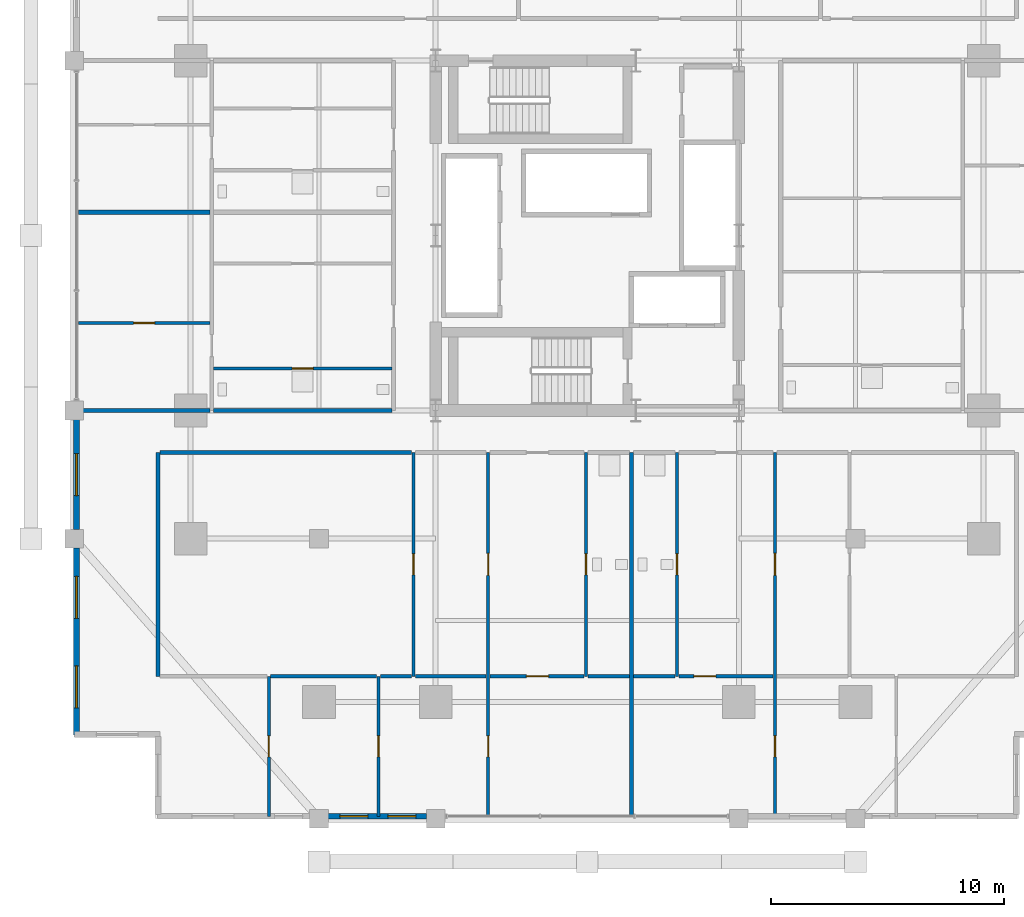
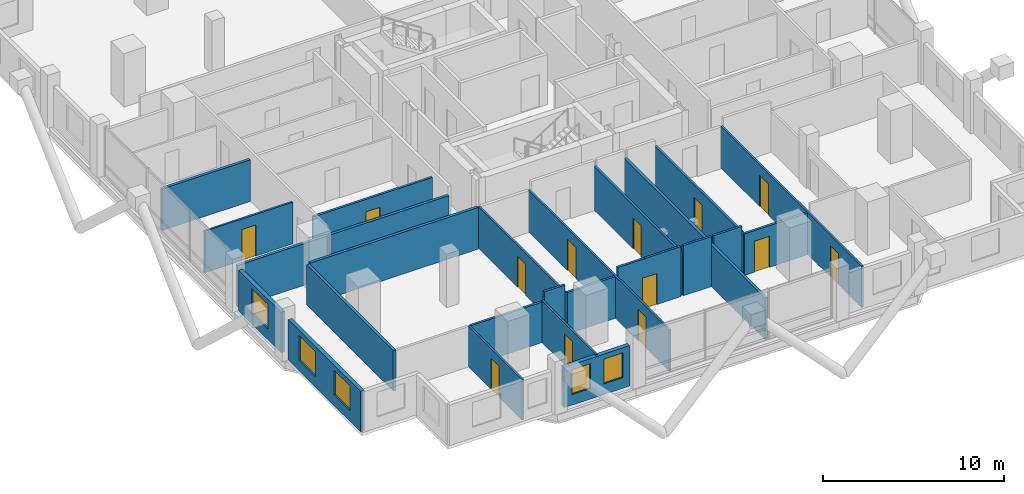
# One storey, part 17 of 23: 25 walls, 13 doors, 5 windows, 18 openings.
"""IFC4 building model written with IfcOpenShell, lengths in metres."""

from ifc_helpers import new_model, si_unit, direction, frame, frame_2d, origin, place, context, subcontext, project, spatial, rectangle, extrude, material, layer, layer_set, type_object, element, fill, save


model = new_model("IFC4")

# Units and contexts
model_context = context("Model", 3, precision=1e-05, world=origin(), true_north=direction((0.0, 1.0)))
body_context = subcontext(model_context, "Body", "Model", "MODEL_VIEW")
ifc_project = project(units=[si_unit("LENGTHUNIT", "METRE"), si_unit("AREAUNIT", "SQUARE_METRE"), si_unit("VOLUMEUNIT", "CUBIC_METRE"), si_unit("PLANEANGLEUNIT", "RADIAN"), si_unit("MASSUNIT", "GRAM", prefix="KILO")], contexts=[model_context])

# Site, building, storey
site_placement = place(None, origin())
site = spatial("IfcSite", under=ifc_project, at=site_placement, CompositionType="ELEMENT")
building_placement = place(site_placement, origin())
building = spatial("IfcBuilding", under=site, at=building_placement, Name="Barlavira Tower and Art Museum", CompositionType="ELEMENT")
storey_placement = place(building_placement, frame((0.0, 0.0, 36.0)))
storey = spatial("IfcBuildingStorey", under=building, at=storey_placement, Name="L07", CompositionType="ELEMENT", Elevation=36.0)

# Wall, opening, door
ifc_material_1 = material(Name="Gypsum acoustic stud partition", Category="gypsum")
ifc_layer_1 = layer(ifc_material_1, 0.1201171875, Name="Gypsum acoustic stud partition")
ifc_layer_set_1 = layer_set([ifc_layer_1], Name="Gypsum acoustic stud partition")
wall_type_1 = type_object("IfcWallType", Name="Apartment Internal Acoustic Partition 120", PredefinedType="PARTITIONING", material=ifc_layer_set_1)
wall_1_placement = place(storey_placement, frame((-13.64990234375, -24.89990234375, 0.0), z_axis=(0.0, 0.0, 1.0), x_axis=(0.0, 1.0, 0.0)))
wall_1 = element("IfcWall", 1, at=wall_1_placement, inside=storey, type_object=wall_type_1, Name="L07 Partition Wall 3", PredefinedType="PARTITIONING", context=body_context, shape_type="SweptSolid", body=[
    extrude(rectangle(XDim=6.0, YDim=0.1201171875, at=frame_2d((3.0, 0.0))), origin(), (0.0, 0.0, 1.0), 2.736083984375),
])
opening_1_placement = place(wall_1_placement, frame((2.550048828125, 0.0, 0.0)))
opening_1 = element("IfcOpeningElement", 2, at=opening_1_placement, cuts=wall_1, Name="Opening D-01", PredefinedType="OPENING", context=body_context, shape_type="SweptSolid", body=[
    extrude(rectangle(XDim=0.89990234375, YDim=2.10009765625, at=frame_2d((0.449951171875, 1.050048828125))), frame((0.0, 0.070068359375, 0.0), z_axis=(0.0, -1.0, 0.0), x_axis=(1.0, 0.0, 0.0)), (0.0, 0.0, 1.0), 0.14013671875),
])
ifc_material_2 = material(Name="Engineered coastal hardwood", Category="wood")
door_type_1 = type_object("IfcDoorType", Name="Internal Bedroom Timber Flush Door 900x2100", OperationType="NOTDEFINED", PredefinedType="DOOR", material=ifc_material_2)
door_1_placement = place(opening_1_placement, origin())
door_1 = element("IfcDoor", 3, at=door_1_placement, inside=storey, type_object=door_type_1, Name="Apartment S1 Bedroom 3 Door", OperationType="SINGLE_SWING_LEFT", OverallHeight=2.10009765625, OverallWidth=0.89990234375, PredefinedType="DOOR", context=body_context, shape_type="SweptSolid", body=[
    extrude(rectangle(XDim=0.89990234375, YDim=2.10009765625, at=frame_2d((0.449951171875, 1.050048828125))), frame((0.0, 0.02490234375, 0.0), z_axis=(0.0, -1.0, 0.0), x_axis=(1.0, 0.0, 0.0)), (0.0, 0.0, 1.0), 0.050048828125),
])
fill(opening_1, door_1)

wall_2_placement = place(storey_placement, frame((-8.949951171875, -24.89990234375, 0.0), z_axis=(0.0, 0.0, 1.0), x_axis=(0.0, 1.0, 0.0)))
wall_2 = element("IfcWall", 4, at=wall_2_placement, inside=storey, type_object=wall_type_1, Name="L07 Partition Wall 4", PredefinedType="PARTITIONING", context=body_context, shape_type="SweptSolid", body=[
    extrude(rectangle(XDim=6.0, YDim=0.1201171875, at=frame_2d((3.0, 0.0))), origin(), (0.0, 0.0, 1.0), 2.81591796875),
])
opening_2_placement = place(wall_2_placement, frame((2.550048828125, 0.0, 0.0)))
opening_2 = element("IfcOpeningElement", 5, at=opening_2_placement, cuts=wall_2, Name="Opening D-01", PredefinedType="OPENING", context=body_context, shape_type="SweptSolid", body=[
    extrude(rectangle(XDim=0.89990234375, YDim=2.10009765625, at=frame_2d((0.449951171875, 1.050048828125))), frame((0.0, 0.070068359375, 0.0), z_axis=(0.0, -1.0, 0.0), x_axis=(1.0, 0.0, 0.0)), (0.0, 0.0, 1.0), 0.14013671875),
])
door_2_placement = place(opening_2_placement, origin())
door_2 = element("IfcDoor", 6, at=door_2_placement, inside=storey, type_object=door_type_1, Name="Apartment S1 Bedroom 2 Door", OperationType="SINGLE_SWING_RIGHT", OverallHeight=2.10009765625, OverallWidth=0.89990234375, PredefinedType="DOOR", context=body_context, shape_type="SweptSolid", body=[
    extrude(rectangle(XDim=0.89990234375, YDim=2.10009765625, at=frame_2d((0.449951171875, 1.050048828125))), frame((0.0, 0.02490234375, 0.0), z_axis=(0.0, -1.0, 0.0), x_axis=(1.0, 0.0, 0.0)), (0.0, 0.0, 1.0), 0.050048828125),
])
fill(opening_2, door_2)

wall_3_placement = place(storey_placement, frame((-7.449951171875, -18.89990234375, 0.0), z_axis=(0.0, 0.0, 1.0), x_axis=(0.0, 1.0, 0.0)))
wall_3 = element("IfcWall", 7, at=wall_3_placement, inside=storey, type_object=wall_type_1, Name="L07 Partition Wall 6", PredefinedType="PARTITIONING", context=body_context, shape_type="SweptSolid", body=[
    extrude(rectangle(XDim=9.599853515625, YDim=0.1201171875, at=frame_2d((4.7998046875, 0.0))), origin(), (0.0, 0.0, 1.0), 2.81591796875),
])
opening_3_placement = place(wall_3_placement, frame((4.35009765625, 0.0, 0.0)))
opening_3 = element("IfcOpeningElement", 8, at=opening_3_placement, cuts=wall_3, Name="Opening D-01", PredefinedType="OPENING", context=body_context, shape_type="SweptSolid", body=[
    extrude(rectangle(XDim=0.89990234375, YDim=2.10009765625, at=frame_2d((0.449951171875, 1.050048828125))), frame((0.0, 0.070068359375, 0.0), z_axis=(0.0, -1.0, 0.0), x_axis=(1.0, 0.0, 0.0)), (0.0, 0.0, 1.0), 0.14013671875),
])
door_3_placement = place(opening_3_placement, origin())
door_3 = element("IfcDoor", 9, at=door_3_placement, inside=storey, type_object=door_type_1, Name="Apartment S1 Walk-In Dressing Room Door", OperationType="SINGLE_SWING_LEFT", OverallHeight=2.10009765625, OverallWidth=0.89990234375, PredefinedType="DOOR", context=body_context, shape_type="SweptSolid", body=[
    extrude(rectangle(XDim=0.89990234375, YDim=2.10009765625, at=frame_2d((0.449951171875, 1.050048828125))), frame((0.0, 0.02490234375, 0.0), z_axis=(0.0, -1.0, 0.0), x_axis=(1.0, 0.0, 0.0)), (0.0, 0.0, 1.0), 0.050048828125),
])
fill(opening_3, door_3)

# Wall, openings, doors
wall_4_placement = place(storey_placement, frame((-4.25, -24.89990234375, 0.0), z_axis=(0.0, 0.0, 1.0), x_axis=(0.0, 1.0, 0.0)))
wall_4 = element("IfcWall", 10, at=wall_4_placement, inside=storey, type_object=wall_type_1, Name="L07 Partition Wall 7", PredefinedType="PARTITIONING", context=body_context, shape_type="SweptSolid", body=[
    extrude(rectangle(XDim=15.599853515625, YDim=0.1201171875, at=frame_2d((7.7998046875, 0.0))), origin(), (0.0, 0.0, 1.0), 2.81591796875),
])
opening_4_placement = place(wall_4_placement, frame((10.324951171875, 0.0, 0.0)))
opening_4 = element("IfcOpeningElement", 11, at=opening_4_placement, cuts=wall_4, Name="Opening D-02", PredefinedType="OPENING", context=body_context, shape_type="SweptSolid", body=[
    extrude(rectangle(XDim=0.949951171875, YDim=2.10009765625, at=frame_2d((0.47509765625, 1.050048828125))), frame((0.0, 0.070068359375, 0.0), z_axis=(0.0, -1.0, 0.0), x_axis=(1.0, 0.0, 0.0)), (0.0, 0.0, 1.0), 0.14013671875),
])
opening_5_placement = place(wall_4_placement, frame((2.550048828125, 0.0, 0.0)))
opening_5 = element("IfcOpeningElement", 12, at=opening_5_placement, cuts=wall_4, Name="Opening D-01", PredefinedType="OPENING", context=body_context, shape_type="SweptSolid", body=[
    extrude(rectangle(XDim=0.89990234375, YDim=2.10009765625, at=frame_2d((0.449951171875, 1.050048828125))), frame((0.0, 0.070068359375, 0.0), z_axis=(0.0, -1.0, 0.0), x_axis=(1.0, 0.0, 0.0)), (0.0, 0.0, 1.0), 0.14013671875),
])
door_4_placement = place(opening_5_placement, origin())
door_4 = element("IfcDoor", 13, at=door_4_placement, inside=storey, type_object=door_type_1, Name="Apartment S1 Bedroom 1 Door", OperationType="SINGLE_SWING_LEFT", OverallHeight=2.10009765625, OverallWidth=0.89990234375, PredefinedType="DOOR", context=body_context, shape_type="SweptSolid", body=[
    extrude(rectangle(XDim=0.89990234375, YDim=2.10009765625, at=frame_2d((0.449951171875, 1.050048828125))), frame((0.0, 0.02490234375, 0.0), z_axis=(0.0, -1.0, 0.0), x_axis=(1.0, 0.0, 0.0)), (0.0, 0.0, 1.0), 0.050048828125),
])
fill(opening_5, door_4)
door_type_2 = type_object("IfcDoorType", Name="Living and Salon Glazed-Leaf Door 950x2100", OperationType="NOTDEFINED", PredefinedType="DOOR", material=ifc_material_2)
door_5_placement = place(opening_4_placement, origin())
door_5 = element("IfcDoor", 14, at=door_5_placement, inside=storey, type_object=door_type_2, Name="Apartment S1 Kitchen Door", OperationType="SINGLE_SWING_RIGHT", OverallHeight=2.10009765625, OverallWidth=0.949951171875, PredefinedType="DOOR", context=body_context, shape_type="SweptSolid", body=[
    extrude(rectangle(XDim=0.949951171875, YDim=2.10009765625, at=frame_2d((0.47509765625, 1.050048828125))), frame((0.0, 0.02490234375, 0.0), z_axis=(0.0, -1.0, 0.0), x_axis=(1.0, 0.0, 0.0)), (0.0, 0.0, 1.0), 0.050048828125),
])
fill(opening_4, door_5)

wall_5_placement = place(storey_placement, frame((8.050048828125, -24.89990234375, 0.0), z_axis=(0.0, 0.0, 1.0), x_axis=(0.0, 1.0, 0.0)))
wall_5 = element("IfcWall", 15, at=wall_5_placement, inside=storey, type_object=wall_type_1, Name="L07 Partition Wall 13", PredefinedType="PARTITIONING", context=body_context, shape_type="SweptSolid", body=[
    extrude(rectangle(XDim=15.599853515625, YDim=0.1201171875, at=frame_2d((7.7998046875, 0.0))), origin(), (0.0, 0.0, 1.0), 2.81591796875),
])
opening_6_placement = place(wall_5_placement, frame((10.324951171875, 0.0, 0.0)))
opening_6 = element("IfcOpeningElement", 16, at=opening_6_placement, cuts=wall_5, Name="Opening D-02", PredefinedType="OPENING", context=body_context, shape_type="SweptSolid", body=[
    extrude(rectangle(XDim=0.949951171875, YDim=2.10009765625, at=frame_2d((0.47509765625, 1.050048828125))), frame((0.0, 0.070068359375, 0.0), z_axis=(0.0, -1.0, 0.0), x_axis=(1.0, 0.0, 0.0)), (0.0, 0.0, 1.0), 0.14013671875),
])
opening_7_placement = place(wall_5_placement, frame((2.550048828125, 0.0, 0.0)))
opening_7 = element("IfcOpeningElement", 17, at=opening_7_placement, cuts=wall_5, Name="Opening D-01", PredefinedType="OPENING", context=body_context, shape_type="SweptSolid", body=[
    extrude(rectangle(XDim=0.89990234375, YDim=2.10009765625, at=frame_2d((0.449951171875, 1.050048828125))), frame((0.0, 0.070068359375, 0.0), z_axis=(0.0, -1.0, 0.0), x_axis=(1.0, 0.0, 0.0)), (0.0, 0.0, 1.0), 0.14013671875),
])
door_6_placement = place(opening_7_placement, origin())
door_6 = element("IfcDoor", 18, at=door_6_placement, inside=storey, type_object=door_type_1, Name="Apartment S2 Bedroom 1 Door", OperationType="SINGLE_SWING_LEFT", OverallHeight=2.10009765625, OverallWidth=0.89990234375, PredefinedType="DOOR", context=body_context, shape_type="SweptSolid", body=[
    extrude(rectangle(XDim=0.89990234375, YDim=2.10009765625, at=frame_2d((0.449951171875, 1.050048828125))), frame((0.0, 0.02490234375, 0.0), z_axis=(0.0, -1.0, 0.0), x_axis=(1.0, 0.0, 0.0)), (0.0, 0.0, 1.0), 0.050048828125),
])
fill(opening_7, door_6)
door_7_placement = place(opening_6_placement, origin())
door_7 = element("IfcDoor", 19, at=door_7_placement, inside=storey, type_object=door_type_2, Name="Apartment S2 Kitchen Door", OperationType="SINGLE_SWING_RIGHT", OverallHeight=2.10009765625, OverallWidth=0.949951171875, PredefinedType="DOOR", context=body_context, shape_type="SweptSolid", body=[
    extrude(rectangle(XDim=0.949951171875, YDim=2.10009765625, at=frame_2d((0.47509765625, 1.050048828125))), frame((0.0, 0.02490234375, 0.0), z_axis=(0.0, -1.0, 0.0), x_axis=(1.0, 0.0, 0.0)), (0.0, 0.0, 1.0), 0.050048828125),
])
fill(opening_6, door_7)

# Wall, opening, door
wall_6_placement = place(storey_placement, frame((-21.820068359375, -3.75, 0.0), z_axis=(0.0, 0.0, 1.0), x_axis=(1.0, 0.0, 0.0)))
wall_6 = element("IfcWall", 20, at=wall_6_placement, inside=storey, type_object=wall_type_1, Name="L07 Partition Wall 46", PredefinedType="PARTITIONING", context=body_context, shape_type="SweptSolid", body=[
    extrude(rectangle(XDim=5.64013671875, YDim=0.1201171875, at=frame_2d((2.820068359375, 0.0))), origin(), (0.0, 0.0, 1.0), 2.81591796875),
])
opening_8_placement = place(wall_6_placement, frame((2.3701171875, 0.0, 0.0)))
opening_8 = element("IfcOpeningElement", 21, at=opening_8_placement, cuts=wall_6, Name="Opening D-01", PredefinedType="OPENING", context=body_context, shape_type="SweptSolid", body=[
    extrude(rectangle(XDim=0.89990234375, YDim=2.10009765625, at=frame_2d((0.449951171875, 1.050048828125))), frame((0.0, 0.070068359375, 0.0), z_axis=(0.0, -1.0, 0.0), x_axis=(1.0, 0.0, 0.0)), (0.0, 0.0, 1.0), 0.14013671875),
])
door_8_placement = place(opening_8_placement, origin())
door_8 = element("IfcDoor", 22, at=door_8_placement, inside=storey, type_object=door_type_1, Name="Apartment W1 Bedroom 1 Door", OperationType="SINGLE_SWING_LEFT", OverallHeight=2.10009765625, OverallWidth=0.89990234375, PredefinedType="DOOR", context=body_context, shape_type="SweptSolid", body=[
    extrude(rectangle(XDim=0.89990234375, YDim=2.10009765625, at=frame_2d((0.449951171875, 1.050048828125))), frame((0.0, 0.02490234375, 0.0), z_axis=(0.0, -1.0, 0.0), x_axis=(1.0, 0.0, 0.0)), (0.0, 0.0, 1.0), 0.050048828125),
])
fill(opening_8, door_8)

# Walls
ifc_layer_2 = layer(ifc_material_1, 0.179931640625, Name="Gypsum acoustic stud partition")
ifc_layer_set_2 = layer_set([ifc_layer_2], Name="Gypsum acoustic stud partition")
wall_type_2 = type_object("IfcWallType", Name="Inter-Tenancy Party Partition Wall 180", PredefinedType="PARTITIONING", material=ifc_layer_set_2)
wall_7_placement = place(storey_placement, frame((-18.39990234375, -18.89990234375, 0.0), z_axis=(0.0, 0.0, 1.0), x_axis=(0.0, 1.0, 0.0)))
element("IfcWall", 23, at=wall_7_placement, inside=storey, type_object=wall_type_2, Name="L07 Partition Wall 1", PredefinedType="PARTITIONING", context=body_context, shape_type="SweptSolid", body=[
    extrude(rectangle(XDim=9.599853515625, YDim=0.179931640625, at=frame_2d((4.7998046875, 0.0))), origin(), (0.0, 0.0, 1.0), 2.736083984375),
])
wall_8_placement = place(storey_placement, frame((1.89990234375, -24.89990234375, 0.0), z_axis=(0.0, 0.0, 1.0), x_axis=(0.0, 1.0, 0.0)))
element("IfcWall", 24, at=wall_8_placement, inside=storey, type_object=wall_type_2, Name="L07 Partition Wall 10", PredefinedType="PARTITIONING", context=body_context, shape_type="SweptSolid", body=[
    extrude(rectangle(XDim=15.599853515625, YDim=0.179931640625, at=frame_2d((7.7998046875, 0.0))), origin(), (0.0, 0.0, 1.0), 2.81591796875),
])
wall_9_placement = place(storey_placement, frame((-18.320068359375, -9.300048828125, 0.0), z_axis=(0.0, 0.0, 1.0), x_axis=(1.0, 0.0, 0.0)))
element("IfcWall", 25, at=wall_9_placement, inside=storey, type_object=wall_type_2, Name="L07 Partition Wall 32", PredefinedType="PARTITIONING", context=body_context, shape_type="SweptSolid", body=[
    extrude(rectangle(XDim=10.7900390625, YDim=0.179931640625, at=frame_2d((5.39501953125, 0.0))), origin(), (0.0, 0.0, 1.0), 2.81591796875),
])
wall_10_placement = place(storey_placement, frame((-21.89990234375, -7.5, 0.0), z_axis=(0.0, 0.0, 1.0), x_axis=(1.0, 0.0, 0.0)))
element("IfcWall", 26, at=wall_10_placement, inside=storey, type_object=wall_type_2, Name="L07 Partition Wall 40", PredefinedType="PARTITIONING", context=body_context, shape_type="SweptSolid", body=[
    extrude(rectangle(XDim=5.719970703125, YDim=0.179931640625, at=frame_2d((2.85986328125, 0.0))), origin(), (0.0, 0.0, 1.0), 2.81591796875),
])
wall_11_placement = place(storey_placement, frame((-16.02001953125, -7.5, 0.0), z_axis=(0.0, 0.0, 1.0), x_axis=(1.0, 0.0, 0.0)))
element("IfcWall", 27, at=wall_11_placement, inside=storey, type_object=wall_type_2, Name="L07 Partition Wall 41", PredefinedType="PARTITIONING", context=body_context, shape_type="SweptSolid", body=[
    extrude(rectangle(XDim=7.64013671875, YDim=0.179931640625, at=frame_2d((3.820068359375, 0.0))), origin(), (0.0, 0.0, 1.0), 2.81591796875),
])
wall_12_placement = place(storey_placement, frame((-21.820068359375, 1.0, 0.0), z_axis=(0.0, 0.0, 1.0), x_axis=(1.0, 0.0, 0.0)))
element("IfcWall", 28, at=wall_12_placement, inside=storey, type_object=wall_type_2, Name="L07 Partition Wall 50", PredefinedType="PARTITIONING", context=body_context, shape_type="SweptSolid", body=[
    extrude(rectangle(XDim=5.64013671875, YDim=0.179931640625, at=frame_2d((2.820068359375, 0.0))), origin(), (0.0, 0.0, 1.0), 2.81591796875),
])

# Wall, opening, door
ifc_layer_3 = layer(ifc_material_1, 0.139892578125, Name="Gypsum acoustic stud partition")
ifc_layer_set_3 = layer_set([ifc_layer_3], Name="Gypsum acoustic stud partition")
wall_type_3 = type_object("IfcWallType", Name="Moisture-Resistant Bathroom Partition 140", PredefinedType="PARTITIONING", material=ifc_layer_set_3)
wall_13_placement = place(storey_placement, frame((-0.050048828125, -18.89990234375, 0.0), z_axis=(0.0, 0.0, 1.0), x_axis=(0.0, 1.0, 0.0)))
wall_13 = element("IfcWall", 29, at=wall_13_placement, inside=storey, type_object=wall_type_3, Name="L07 Partition Wall 9", PredefinedType="PARTITIONING", context=body_context, shape_type="SweptSolid", body=[
    extrude(rectangle(XDim=9.599853515625, YDim=0.139892578125, at=frame_2d((4.7998046875, 0.0))), origin(), (0.0, 0.0, 1.0), 2.947998046875),
])
opening_9_placement = place(wall_13_placement, frame((4.35009765625, 0.0, 0.0)))
opening_9 = element("IfcOpeningElement", 30, at=opening_9_placement, cuts=wall_13, Name="Opening D-WC", PredefinedType="OPENING", context=body_context, shape_type="SweptSolid", body=[
    extrude(rectangle(XDim=0.89990234375, YDim=2.10009765625, at=frame_2d((0.449951171875, 1.050048828125))), frame((0.0, 0.080078125, 0.0), z_axis=(0.0, -1.0, 0.0), x_axis=(1.0, 0.0, 0.0)), (0.0, 0.0, 1.0), 0.159912109375),
])
door_type_3 = type_object("IfcDoorType", Name="Accessible Bathroom Flush Door 900x2100", OperationType="NOTDEFINED", PredefinedType="DOOR", material=ifc_material_2)
door_9_placement = place(opening_9_placement, origin())
door_9 = element("IfcDoor", 31, at=door_9_placement, inside=storey, type_object=door_type_3, Name="Apartment S1 Hall Bathroom Door", OperationType="SINGLE_SWING_RIGHT", OverallHeight=2.10009765625, OverallWidth=0.89990234375, PredefinedType="DOOR", context=body_context, shape_type="SweptSolid", body=[
    extrude(rectangle(XDim=0.89990234375, YDim=2.10009765625, at=frame_2d((0.449951171875, 1.050048828125))), frame((0.0, 0.02490234375, 0.0), z_axis=(0.0, -1.0, 0.0), x_axis=(1.0, 0.0, 0.0)), (0.0, 0.0, 1.0), 0.050048828125),
])
fill(opening_9, door_9)

wall_14_placement = place(storey_placement, frame((3.85009765625, -18.89990234375, 0.0), z_axis=(0.0, 0.0, 1.0), x_axis=(0.0, 1.0, 0.0)))
wall_14 = element("IfcWall", 32, at=wall_14_placement, inside=storey, type_object=wall_type_3, Name="L07 Partition Wall 11", PredefinedType="PARTITIONING", context=body_context, shape_type="SweptSolid", body=[
    extrude(rectangle(XDim=9.599853515625, YDim=0.139892578125, at=frame_2d((4.7998046875, 0.0))), origin(), (0.0, 0.0, 1.0), 2.947998046875),
])
opening_10_placement = place(wall_14_placement, frame((4.35009765625, 0.0, 0.0)))
opening_10 = element("IfcOpeningElement", 33, at=opening_10_placement, cuts=wall_14, Name="Opening D-WC", PredefinedType="OPENING", context=body_context, shape_type="SweptSolid", body=[
    extrude(rectangle(XDim=0.89990234375, YDim=2.10009765625, at=frame_2d((0.449951171875, 1.050048828125))), frame((0.0, 0.080078125, 0.0), z_axis=(0.0, -1.0, 0.0), x_axis=(1.0, 0.0, 0.0)), (0.0, 0.0, 1.0), 0.159912109375),
])
door_10_placement = place(opening_10_placement, origin())
door_10 = element("IfcDoor", 34, at=door_10_placement, inside=storey, type_object=door_type_3, Name="Apartment S2 Hall Bathroom Door", OperationType="SINGLE_SWING_RIGHT", OverallHeight=2.10009765625, OverallWidth=0.89990234375, PredefinedType="DOOR", context=body_context, shape_type="SweptSolid", body=[
    extrude(rectangle(XDim=0.89990234375, YDim=2.10009765625, at=frame_2d((0.449951171875, 1.050048828125))), frame((0.0, 0.02490234375, 0.0), z_axis=(0.0, -1.0, 0.0), x_axis=(1.0, 0.0, 0.0)), (0.0, 0.0, 1.0), 0.050048828125),
])
fill(opening_10, door_10)

# Walls
wall_15_placement = place(storey_placement, frame((-13.570068359375, -18.89990234375, 0.0), z_axis=(0.0, 0.0, 1.0), x_axis=(1.0, 0.0, 0.0)))
element("IfcWall", 35, at=wall_15_placement, inside=storey, type_object=wall_type_3, Name="L07 Partition Wall 22", PredefinedType="PARTITIONING", context=body_context, shape_type="SweptSolid", body=[
    extrude(rectangle(XDim=4.5400390625, YDim=0.139892578125, at=frame_2d((2.27001953125, 0.0))), origin(), (0.0, 0.0, 1.0), 2.736083984375),
])
wall_16_placement = place(storey_placement, frame((-8.8701171875, -18.89990234375, 0.0), z_axis=(0.0, 0.0, 1.0), x_axis=(1.0, 0.0, 0.0)))
element("IfcWall", 36, at=wall_16_placement, inside=storey, type_object=wall_type_3, Name="L07 Partition Wall 23", PredefinedType="PARTITIONING", context=body_context, shape_type="SweptSolid", body=[
    extrude(rectangle(XDim=1.340087890625, YDim=0.139892578125, at=frame_2d((0.669921875, 0.0))), origin(), (0.0, 0.0, 1.0), 3.3798828125),
])
wall_17_placement = place(storey_placement, frame((-7.3701171875, -18.89990234375, 0.0), z_axis=(0.0, 0.0, 1.0), x_axis=(1.0, 0.0, 0.0)))
element("IfcWall", 37, at=wall_17_placement, inside=storey, type_object=wall_type_3, Name="L07 Partition Wall 24", PredefinedType="PARTITIONING", context=body_context, shape_type="SweptSolid", body=[
    extrude(rectangle(XDim=3.0400390625, YDim=0.139892578125, at=frame_2d((1.52001953125, 0.0))), origin(), (0.0, 0.0, 1.0), 2.81591796875),
])

# Wall, opening, door
wall_18_placement = place(storey_placement, frame((-4.169921875, -18.89990234375, 0.0), z_axis=(0.0, 0.0, 1.0), x_axis=(1.0, 0.0, 0.0)))
wall_18 = element("IfcWall", 38, at=wall_18_placement, inside=storey, type_object=wall_type_3, Name="L07 Partition Wall 25", PredefinedType="PARTITIONING", context=body_context, shape_type="SweptSolid", body=[
    extrude(rectangle(XDim=4.0400390625, YDim=0.139892578125, at=frame_2d((2.02001953125, 0.0))), origin(), (0.0, 0.0, 1.0), 3.3798828125),
])
opening_11_placement = place(wall_18_placement, frame((1.56494140625, 0.0, 0.0)))
opening_11 = element("IfcOpeningElement", 39, at=opening_11_placement, cuts=wall_18, Name="Opening D-02", PredefinedType="OPENING", context=body_context, shape_type="SweptSolid", body=[
    extrude(rectangle(XDim=0.949951171875, YDim=2.10009765625, at=frame_2d((0.47509765625, 1.050048828125))), frame((0.0, 0.080078125, 0.0), z_axis=(0.0, -1.0, 0.0), x_axis=(1.0, 0.0, 0.0)), (0.0, 0.0, 1.0), 0.159912109375),
])
door_11_placement = place(opening_11_placement, origin())
door_11 = element("IfcDoor", 40, at=door_11_placement, inside=storey, type_object=door_type_2, Name="Apartment S1 Living Lounge Door", OperationType="SINGLE_SWING_RIGHT", OverallHeight=2.10009765625, OverallWidth=0.949951171875, PredefinedType="DOOR", context=body_context, shape_type="SweptSolid", body=[
    extrude(rectangle(XDim=0.949951171875, YDim=2.10009765625, at=frame_2d((0.47509765625, 1.050048828125))), frame((0.0, 0.02490234375, 0.0), z_axis=(0.0, -1.0, 0.0), x_axis=(1.0, 0.0, 0.0)), (0.0, 0.0, 1.0), 0.050048828125),
])
fill(opening_11, door_11)

# Walls
for number, where, z_axis, x_axis, name in (
    (41, (0.030029296875, -18.89990234375, 0.0), (0.0, 0.0, 1.0), (1.0, 0.0, 0.0), "L07 Partition Wall 26"),
    (42, (1.97998046875, -18.89990234375, 0.0), (0.0, 0.0, 1.0), (1.0, 0.0, 0.0), "L07 Partition Wall 27"),
):
    element("IfcWall", number, at=place(storey_placement, frame(where, z_axis=z_axis, x_axis=x_axis)), inside=storey, type_object=wall_type_3, Name=name, PredefinedType="PARTITIONING", context=body_context, shape_type="SweptSolid", body=[
        extrude(rectangle(XDim=1.7900390625, YDim=0.139892578125, at=frame_2d((0.89501953125, 0.0))), origin(), (0.0, 0.0, 1.0), 3.3798828125),
    ])

# Wall, opening, door
wall_19_placement = place(storey_placement, frame((3.929931640625, -18.89990234375, 0.0), z_axis=(0.0, 0.0, 1.0), x_axis=(1.0, 0.0, 0.0)))
wall_19 = element("IfcWall", 43, at=wall_19_placement, inside=storey, type_object=wall_type_3, Name="L07 Partition Wall 28", PredefinedType="PARTITIONING", context=body_context, shape_type="SweptSolid", body=[
    extrude(rectangle(XDim=4.0400390625, YDim=0.139892578125, at=frame_2d((2.02001953125, 0.0))), origin(), (0.0, 0.0, 1.0), 2.81591796875),
])
opening_12_placement = place(wall_19_placement, frame((0.63818359375, 0.0, 0.0)))
opening_12 = element("IfcOpeningElement", 44, at=opening_12_placement, cuts=wall_19, Name="Opening D-02", PredefinedType="OPENING", context=body_context, shape_type="SweptSolid", body=[
    extrude(rectangle(XDim=0.949951171875, YDim=2.10009765625, at=frame_2d((0.47509765625, 1.050048828125))), frame((0.0, 0.080078125, 0.0), z_axis=(0.0, -1.0, 0.0), x_axis=(1.0, 0.0, 0.0)), (0.0, 0.0, 1.0), 0.159912109375),
])
door_12_placement = place(opening_12_placement, origin())
door_12 = element("IfcDoor", 45, at=door_12_placement, inside=storey, type_object=door_type_2, Name="Apartment S2 Living Lounge Door", OperationType="SINGLE_SWING_RIGHT", OverallHeight=2.10009765625, OverallWidth=0.949951171875, PredefinedType="DOOR", context=body_context, shape_type="SweptSolid", body=[
    extrude(rectangle(XDim=0.949951171875, YDim=2.10009765625, at=frame_2d((0.47509765625, 1.050048828125))), frame((0.0, 0.02490234375, 0.0), z_axis=(0.0, -1.0, 0.0), x_axis=(1.0, 0.0, 0.0)), (0.0, 0.0, 1.0), 0.050048828125),
])
fill(opening_12, door_12)

wall_20_placement = place(storey_placement, frame((-16.02001953125, -5.699951171875, 0.0), z_axis=(0.0, 0.0, 1.0), x_axis=(1.0, 0.0, 0.0)))
wall_20 = element("IfcWall", 46, at=wall_20_placement, inside=storey, type_object=wall_type_3, Name="L07 Partition Wall 44", PredefinedType="PARTITIONING", context=body_context, shape_type="SweptSolid", body=[
    extrude(rectangle(XDim=7.64013671875, YDim=0.139892578125, at=frame_2d((3.820068359375, 0.0))), origin(), (0.0, 0.0, 1.0), 2.947998046875),
])
opening_13_placement = place(wall_20_placement, frame((3.3701171875, 0.0, 0.0)))
opening_13 = element("IfcOpeningElement", 47, at=opening_13_placement, cuts=wall_20, Name="Opening D-WC", PredefinedType="OPENING", context=body_context, shape_type="SweptSolid", body=[
    extrude(rectangle(XDim=0.89990234375, YDim=2.10009765625, at=frame_2d((0.449951171875, 1.050048828125))), frame((0.0, 0.080078125, 0.0), z_axis=(0.0, -1.0, 0.0), x_axis=(1.0, 0.0, 0.0)), (0.0, 0.0, 1.0), 0.159912109375),
])
door_13_placement = place(opening_13_placement, origin())
door_13 = element("IfcDoor", 48, at=door_13_placement, inside=storey, type_object=door_type_3, Name="Apartment W1 Hall Bathroom Door", OperationType="SINGLE_SWING_LEFT", OverallHeight=2.10009765625, OverallWidth=0.89990234375, PredefinedType="DOOR", context=body_context, shape_type="SweptSolid", body=[
    extrude(rectangle(XDim=0.89990234375, YDim=2.10009765625, at=frame_2d((0.449951171875, 1.050048828125))), frame((0.0, 0.02490234375, 0.0), z_axis=(0.0, -1.0, 0.0), x_axis=(1.0, 0.0, 0.0)), (0.0, 0.0, 1.0), 0.050048828125),
])
fill(opening_13, door_13)

# Wall, openings, windows
ifc_material_3 = material(Name="Precast concrete C40", Category="concrete")
ifc_layer_4 = layer(ifc_material_3, 0.25, Name="Precast concrete C40")
ifc_layer_set_4 = layer_set([ifc_layer_4], Name="Precast concrete C40")
wall_type_4 = type_object("IfcWallType", Name="Notched Corner Spandrel Wall 250 Precast Concrete C40", PredefinedType="SOLIDWALL", material=ifc_layer_set_4)
wall_21_placement = place(storey_placement, frame((-11.10498046875, -24.89990234375, 0.0), z_axis=(0.0, 0.0, 1.0), x_axis=(1.0, 0.0, 0.0)))
wall_21 = element("IfcWall", 49, at=wall_21_placement, inside=storey, type_object=wall_type_4, Name="L07 Coastal Facade Pier Wall CW1-L07-S-2", PredefinedType="SOLIDWALL", context=body_context, shape_type="SweptSolid", body=[
    extrude(rectangle(XDim=4.2099609375, YDim=0.25, at=frame_2d((2.10498046875, 0.0))), origin(), (0.0, 0.0, 1.0), 2.736083984375),
])
opening_14_placement = place(wall_21_placement, frame((0.5, 0.0, 0.719970703125)))
opening_14 = element("IfcOpeningElement", 50, at=opening_14_placement, cuts=wall_21, Name="Opening WN-05", PredefinedType="OPENING", context=body_context, shape_type="SweptSolid", body=[
    extrude(rectangle(XDim=1.199951171875, YDim=1.679931640625, at=frame_2d((0.60009765625, 0.83984375))), frame((0.0, 0.135009765625, 0.0), z_axis=(0.0, -1.0, 0.0), x_axis=(1.0, 0.0, 0.0)), (0.0, 0.0, 1.0), 0.27001953125),
])
opening_15_placement = place(wall_21_placement, frame((2.56005859375, 0.0, 0.719970703125)))
opening_15 = element("IfcOpeningElement", 51, at=opening_15_placement, cuts=wall_21, Name="Opening WN-05", PredefinedType="OPENING", context=body_context, shape_type="SweptSolid", body=[
    extrude(rectangle(XDim=1.199951171875, YDim=1.679931640625, at=frame_2d((0.60009765625, 0.83984375))), frame((0.0, 0.135009765625, 0.0), z_axis=(0.0, -1.0, 0.0), x_axis=(1.0, 0.0, 0.0)), (0.0, 0.0, 1.0), 0.27001953125),
])
ifc_material_4 = material(Name="Low-iron coastal laminated glass", Category="glass")
window_type_1 = type_object("IfcWindowType", Name="Recessed Flank Pier Punch Window 1200x1680", PartitioningType="SINGLE_PANEL", PredefinedType="WINDOW", material=ifc_material_4)
window_1_placement = place(opening_14_placement, origin())
window_1 = element("IfcWindow", 52, at=window_1_placement, inside=storey, type_object=window_type_1, Name="L07 Punched Facade Window EWP-CW1-L07-S-2-1", OverallHeight=1.679931640625, OverallWidth=1.199951171875, PartitioningType="SINGLE_PANEL", PredefinedType="WINDOW", context=body_context, shape_type="SweptSolid", body=[
    extrude(rectangle(XDim=1.199951171875, YDim=1.679931640625, at=frame_2d((0.60009765625, 0.83984375))), frame((0.0, 0.030029296875, 0.0), z_axis=(0.0, -1.0, 0.0), x_axis=(1.0, 0.0, 0.0)), (0.0, 0.0, 1.0), 0.06005859375),
])
fill(opening_14, window_1)
window_2_placement = place(opening_15_placement, origin())
window_2 = element("IfcWindow", 53, at=window_2_placement, inside=storey, type_object=window_type_1, Name="L07 Punched Facade Window EWP-CW1-L07-S-2-2", OverallHeight=1.679931640625, OverallWidth=1.199951171875, PartitioningType="SINGLE_PANEL", PredefinedType="WINDOW", context=body_context, shape_type="SweptSolid", body=[
    extrude(rectangle(XDim=1.199951171875, YDim=1.679931640625, at=frame_2d((0.60009765625, 0.83984375))), frame((0.0, 0.030029296875, 0.0), z_axis=(0.0, -1.0, 0.0), x_axis=(1.0, 0.0, 0.0)), (0.0, 0.0, 1.0), 0.06005859375),
])
fill(opening_15, window_2)

# Wall, opening, window
wall_22_placement = place(storey_placement, frame((-21.89990234375, -7.89501953125, 0.0), z_axis=(0.0, 0.0, 1.0), x_axis=(0.0, -1.0, 0.0)))
wall_22 = element("IfcWall", 54, at=wall_22_placement, inside=storey, type_object=wall_type_4, Name="L07 Coastal Facade Pier Wall CW1-L07-W-4", PredefinedType="SOLIDWALL", context=body_context, shape_type="SweptSolid", body=[
    extrude(rectangle(XDim=4.7099609375, YDim=0.25, at=frame_2d((2.35498046875, 0.0))), origin(), (0.0, 0.0, 1.0), 2.736083984375),
])
opening_16_placement = place(wall_22_placement, frame((1.455078125, 0.0, 0.719970703125)))
opening_16 = element("IfcOpeningElement", 55, at=opening_16_placement, cuts=wall_22, Name="Opening WN-01", PredefinedType="OPENING", context=body_context, shape_type="SweptSolid", body=[
    extrude(rectangle(XDim=1.800048828125, YDim=1.679931640625, at=frame_2d((0.89990234375, 0.83984375))), frame((0.0, 0.135009765625, 0.0), z_axis=(0.0, -1.0, 0.0), x_axis=(1.0, 0.0, 0.0)), (0.0, 0.0, 1.0), 0.27001953125),
])
window_type_2 = type_object("IfcWindowType", Name="Recessed Notch Corner Punch Window 1800x1680", PartitioningType="SINGLE_PANEL", PredefinedType="WINDOW", material=ifc_material_4)
window_3_placement = place(opening_16_placement, origin())
window_3 = element("IfcWindow", 56, at=window_3_placement, inside=storey, type_object=window_type_2, Name="L07 Punched Facade Window EWP-CW1-L07-W-4-1", OverallHeight=1.679931640625, OverallWidth=1.800048828125, PartitioningType="SINGLE_PANEL", PredefinedType="WINDOW", context=body_context, shape_type="SweptSolid", body=[
    extrude(rectangle(XDim=1.800048828125, YDim=1.679931640625, at=frame_2d((0.89990234375, 0.83984375))), frame((0.0, 0.030029296875, 0.0), z_axis=(0.0, -1.0, 0.0), x_axis=(1.0, 0.0, 0.0)), (0.0, 0.0, 1.0), 0.06005859375),
])
fill(opening_16, window_3)

# Wall, openings, windows
wall_23_placement = place(storey_placement, frame((-21.89990234375, -13.39501953125, 0.0), z_axis=(0.0, 0.0, 1.0), x_axis=(0.0, -1.0, 0.0)))
wall_23 = element("IfcWall", 57, at=wall_23_placement, inside=storey, type_object=wall_type_4, Name="L07 Coastal Facade Pier Wall CW1-L07-W-5", PredefinedType="SOLIDWALL", context=body_context, shape_type="SweptSolid", body=[
    extrude(rectangle(XDim=8.030029296875, YDim=0.25, at=frame_2d((4.01513671875, 0.0))), origin(), (0.0, 0.0, 1.0), 2.736083984375),
])
opening_17_placement = place(wall_23_placement, frame((1.220947265625, 0.0, 0.719970703125)))
opening_17 = element("IfcOpeningElement", 58, at=opening_17_placement, cuts=wall_23, Name="Opening WN-01", PredefinedType="OPENING", context=body_context, shape_type="SweptSolid", body=[
    extrude(rectangle(XDim=1.800048828125, YDim=1.679931640625, at=frame_2d((0.89990234375, 0.83984375))), frame((0.0, 0.135009765625, 0.0), z_axis=(0.0, -1.0, 0.0), x_axis=(1.0, 0.0, 0.0)), (0.0, 0.0, 1.0), 0.27001953125),
])
opening_18_placement = place(wall_23_placement, frame((5.053955078125, 0.0, 0.719970703125)))
opening_18 = element("IfcOpeningElement", 59, at=opening_18_placement, cuts=wall_23, Name="Opening WN-01", PredefinedType="OPENING", context=body_context, shape_type="SweptSolid", body=[
    extrude(rectangle(XDim=1.800048828125, YDim=1.679931640625, at=frame_2d((0.89990234375, 0.83984375))), frame((0.0, 0.135009765625, 0.0), z_axis=(0.0, -1.0, 0.0), x_axis=(1.0, 0.0, 0.0)), (0.0, 0.0, 1.0), 0.27001953125),
])
window_4_placement = place(opening_17_placement, origin())
window_4 = element("IfcWindow", 60, at=window_4_placement, inside=storey, type_object=window_type_2, Name="L07 Punched Facade Window EWP-CW1-L07-W-5-1", OverallHeight=1.679931640625, OverallWidth=1.800048828125, PartitioningType="SINGLE_PANEL", PredefinedType="WINDOW", context=body_context, shape_type="SweptSolid", body=[
    extrude(rectangle(XDim=1.800048828125, YDim=1.679931640625, at=frame_2d((0.89990234375, 0.83984375))), frame((0.0, 0.030029296875, 0.0), z_axis=(0.0, -1.0, 0.0), x_axis=(1.0, 0.0, 0.0)), (0.0, 0.0, 1.0), 0.06005859375),
])
fill(opening_17, window_4)
window_5_placement = place(opening_18_placement, origin())
window_5 = element("IfcWindow", 61, at=window_5_placement, inside=storey, type_object=window_type_2, Name="L07 Punched Facade Window EWP-CW1-L07-W-5-2", OverallHeight=1.679931640625, OverallWidth=1.800048828125, PartitioningType="SINGLE_PANEL", PredefinedType="WINDOW", context=body_context, shape_type="SweptSolid", body=[
    extrude(rectangle(XDim=1.800048828125, YDim=1.679931640625, at=frame_2d((0.89990234375, 0.83984375))), frame((0.0, 0.030029296875, 0.0), z_axis=(0.0, -1.0, 0.0), x_axis=(1.0, 0.0, 0.0)), (0.0, 0.0, 1.0), 0.06005859375),
])
fill(opening_18, window_5)

save(model, "model.ifc")
